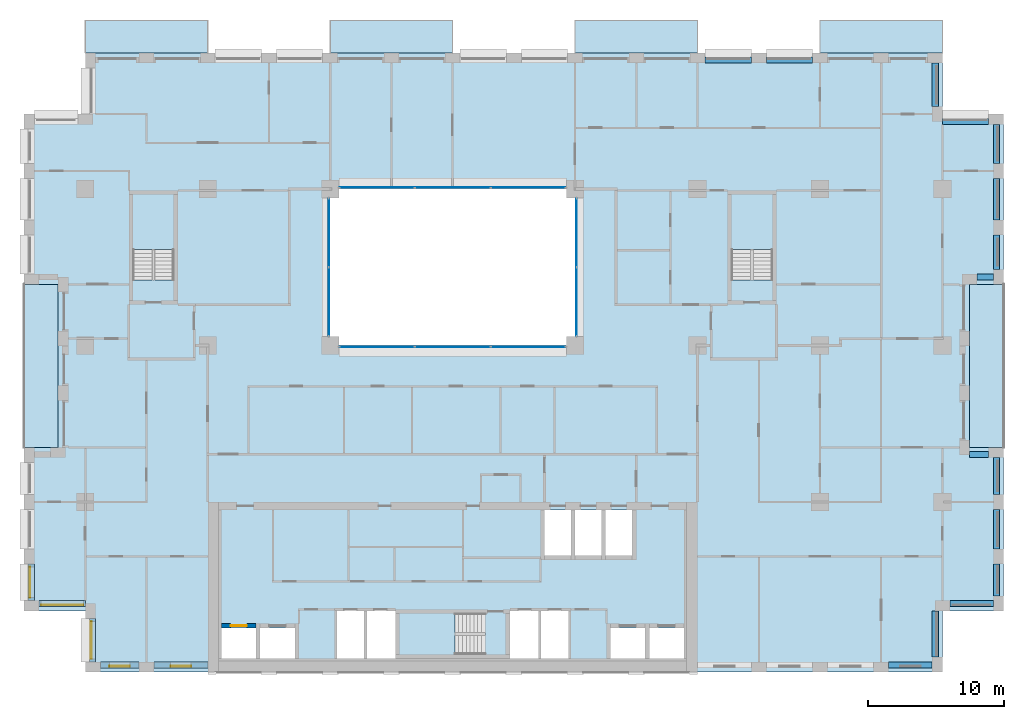
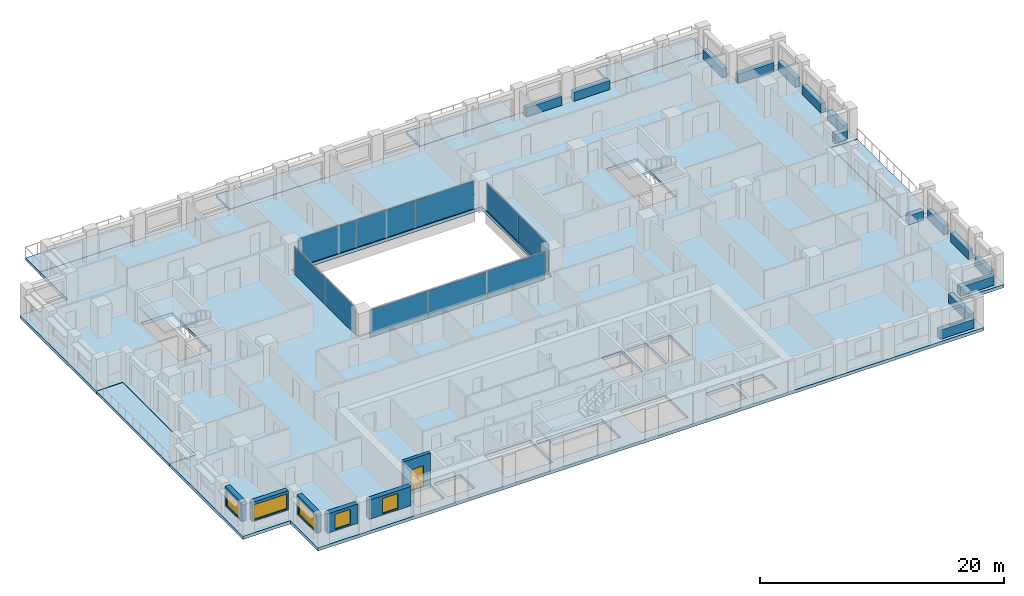
# One storey, part 7 of 16: 15 beams, 10 plates, 10 slabs, 6 walls, 5 windows, 1 door, 6 openings, 7 elements without a shape of their own.
"""IFC4 building model written with IfcOpenShell, lengths in metres."""

from ifc_helpers import new_model, si_unit, direction, frame, frame_2d, origin, origin_2d, place, context, subcontext, project, spatial, polyline, rectangle, outline, extrude, material, layer, layer_set, material_profile, profile_set, type_object, element, fill, aggregate, save


model = new_model("IFC4")

# Units and contexts
model_context = context("Model", 3, precision=1e-05, world=origin(), true_north=direction((0.0, 1.0)))
body_context = subcontext(model_context, "Body", "Model", "MODEL_VIEW")
ifc_project = project(units=[si_unit("LENGTHUNIT", "METRE"), si_unit("AREAUNIT", "SQUARE_METRE"), si_unit("VOLUMEUNIT", "CUBIC_METRE"), si_unit("PLANEANGLEUNIT", "RADIAN"), si_unit("MASSUNIT", "GRAM", prefix="KILO")], contexts=[model_context])

# Site, building, storey
site_placement = place(None, origin())
site = spatial("IfcSite", under=ifc_project, at=site_placement, CompositionType="ELEMENT")
building_placement = place(site_placement, origin())
building = spatial("IfcBuilding", under=site, at=building_placement, Name="Brigalow Station Residences", CompositionType="ELEMENT")
storey_placement = place(building_placement, frame((0.0, 0.0, 118.199951171875)))
storey = spatial("IfcBuildingStorey", under=building, at=storey_placement, Name="L34", CompositionType="ELEMENT", Elevation=118.199951171875)

# Beams
ifc_material_1 = material(Name="Concrete C65", Category="concrete")
ifc_material_profile = material_profile(ifc_material_1, rectangle(XDim=0.449951171875, YDim=0.89990234375, at=origin_2d()), Name="RC450x900")
ifc_profile_set = profile_set([ifc_material_profile], Name="Concrete C65")
beam_type = type_object("IfcBeamType", Name="SPANDREL BEAM 450x900 C65", PredefinedType="SPANDREL", material=ifc_profile_set)
beam_1_placement = place(storey_placement, frame((68.050048828125, 0.52490234375, 0.449951171875), z_axis=(1.0, 0.0, 0.0), x_axis=(0.0, 1.0, 0.0)))
element("IfcBeam", 1, at=beam_1_placement, inside=storey, type_object=beam_type, Name="L34/spandrel/W-L34-7", PredefinedType="SPANDREL", context=body_context, shape_type="SweptSolid", body=[
    extrude(rectangle(XDim=0.449951171875, YDim=0.89990234375, at=origin_2d()), origin(), (0.0, 0.0, 1.0), 3.199951171875),
])
beam_2_placement = place(storey_placement, frame((71.47509765625, 1.10009765625, 0.449951171875), z_axis=(0.0, 1.0, 0.0), x_axis=(-1.0, 0.0, 0.0)))
element("IfcBeam", 2, at=beam_2_placement, inside=storey, type_object=beam_type, Name="L34/spandrel/W-L34-8", PredefinedType="SPANDREL", context=body_context, shape_type="SweptSolid", body=[
    extrude(rectangle(XDim=0.449951171875, YDim=0.89990234375, at=origin_2d()), origin(), (0.0, 0.0, 1.0), 3.39990234375),
])
beam_3_placement = place(storey_placement, frame((72.550048828125, 5.02490234375, 0.449951171875), z_axis=(1.0, 0.0, 0.0), x_axis=(0.0, 1.0, 0.0)))
element("IfcBeam", 3, at=beam_3_placement, inside=storey, type_object=beam_type, Name="L34/spandrel/W-L34-9", PredefinedType="SPANDREL", context=body_context, shape_type="SweptSolid", body=[
    extrude(rectangle(XDim=0.449951171875, YDim=0.89990234375, at=origin_2d()), origin(), (0.0, 0.0, 1.0), 3.199951171875),
])
beam_4_placement = place(storey_placement, frame((75.97509765625, 5.60009765625, 0.449951171875), z_axis=(0.0, 1.0, 0.0), x_axis=(-1.0, 0.0, 0.0)))
element("IfcBeam", 4, at=beam_4_placement, inside=storey, type_object=beam_type, Name="L34/spandrel/W-L34-10", PredefinedType="SPANDREL", context=body_context, shape_type="SweptSolid", body=[
    extrude(rectangle(XDim=0.449951171875, YDim=0.89990234375, at=origin_2d()), origin(), (0.0, 0.0, 1.0), 2.349853515625),
])
beam_5_placement = place(storey_placement, frame((75.97509765625, 9.050048828125, 0.449951171875), z_axis=(0.0, 1.0, 0.0), x_axis=(-1.0, 0.0, 0.0)))
element("IfcBeam", 5, at=beam_5_placement, inside=storey, type_object=beam_type, Name="L34/spandrel/W-L34-11", PredefinedType="SPANDREL", context=body_context, shape_type="SweptSolid", body=[
    extrude(rectangle(XDim=0.449951171875, YDim=0.89990234375, at=origin_2d()), origin(), (0.0, 0.0, 1.0), 2.89990234375),
])
beam_6_placement = place(storey_placement, frame((75.97509765625, 13.050048828125, 0.449951171875), z_axis=(0.0, 1.0, 0.0), x_axis=(-1.0, 0.0, 0.0)))
element("IfcBeam", 6, at=beam_6_placement, inside=storey, type_object=beam_type, Name="L34/spandrel/W-L34-12", PredefinedType="SPANDREL", context=body_context, shape_type="SweptSolid", body=[
    extrude(rectangle(XDim=0.449951171875, YDim=0.89990234375, at=origin_2d()), origin(), (0.0, 0.0, 1.0), 2.699951171875),
])
beam_7_placement = place(storey_placement, frame((75.39990234375, 15.97509765625, 0.449951171875), z_axis=(-1.0, 0.0, 0.0), x_axis=(0.0, -1.0, 0.0)))
element("IfcBeam", 7, at=beam_7_placement, inside=storey, type_object=beam_type, Name="L34/spandrel/W-L34-13", PredefinedType="SPANDREL", context=body_context, shape_type="SweptSolid", body=[
    extrude(rectangle(XDim=0.449951171875, YDim=0.89990234375, at=origin_2d()), origin(), (0.0, 0.0, 1.0), 1.39990234375),
])
beam_8_placement = place(storey_placement, frame((74.550048828125, 29.02490234375, 0.449951171875), z_axis=(1.0, 0.0, 0.0), x_axis=(0.0, 1.0, 0.0)))
element("IfcBeam", 8, at=beam_8_placement, inside=storey, type_object=beam_type, Name="L34/spandrel/W-L34-17", PredefinedType="SPANDREL", context=body_context, shape_type="SweptSolid", body=[
    extrude(rectangle(XDim=0.449951171875, YDim=0.89990234375, at=origin_2d()), origin(), (0.0, 0.0, 1.0), 1.199951171875),
])
beam_9_placement = place(storey_placement, frame((75.97509765625, 29.60009765625, 0.449951171875), z_axis=(0.0, 1.0, 0.0), x_axis=(-1.0, 0.0, 0.0)))
element("IfcBeam", 9, at=beam_9_placement, inside=storey, type_object=beam_type, Name="L34/spandrel/W-L34-18", PredefinedType="SPANDREL", context=body_context, shape_type="SweptSolid", body=[
    extrude(rectangle(XDim=0.449951171875, YDim=0.89990234375, at=origin_2d()), origin(), (0.0, 0.0, 1.0), 2.516845703125),
])
beam_10_placement = place(storey_placement, frame((75.97509765625, 33.217041015625, 0.449951171875), z_axis=(0.0, 1.0, 0.0), x_axis=(-1.0, 0.0, 0.0)))
element("IfcBeam", 10, at=beam_10_placement, inside=storey, type_object=beam_type, Name="L34/spandrel/W-L34-19", PredefinedType="SPANDREL", context=body_context, shape_type="SweptSolid", body=[
    extrude(rectangle(XDim=0.449951171875, YDim=0.89990234375, at=origin_2d()), origin(), (0.0, 0.0, 1.0), 3.06591796875),
])
beam_11_placement = place(storey_placement, frame((75.97509765625, 37.383056640625, 0.449951171875), z_axis=(0.0, 1.0, 0.0), x_axis=(-1.0, 0.0, 0.0)))
element("IfcBeam", 11, at=beam_11_placement, inside=storey, type_object=beam_type, Name="L34/spandrel/W-L34-20", PredefinedType="SPANDREL", context=body_context, shape_type="SweptSolid", body=[
    extrude(rectangle(XDim=0.449951171875, YDim=0.89990234375, at=origin_2d()), origin(), (0.0, 0.0, 1.0), 2.866943359375),
])
beam_12_placement = place(storey_placement, frame((75.39990234375, 40.47509765625, 0.449951171875), z_axis=(-1.0, 0.0, 0.0), x_axis=(0.0, -1.0, 0.0)))
element("IfcBeam", 12, at=beam_12_placement, inside=storey, type_object=beam_type, Name="L34/spandrel/W-L34-21", PredefinedType="SPANDREL", context=body_context, shape_type="SweptSolid", body=[
    extrude(rectangle(XDim=0.449951171875, YDim=0.89990234375, at=origin_2d()), origin(), (0.0, 0.0, 1.0), 3.39990234375),
])
beam_13_placement = place(storey_placement, frame((71.47509765625, 41.550048828125, 0.449951171875), z_axis=(0.0, 1.0, 0.0), x_axis=(-1.0, 0.0, 0.0)))
element("IfcBeam", 13, at=beam_13_placement, inside=storey, type_object=beam_type, Name="L34/spandrel/W-L34-22", PredefinedType="SPANDREL", context=body_context, shape_type="SweptSolid", body=[
    extrude(rectangle(XDim=0.449951171875, YDim=0.89990234375, at=origin_2d()), origin(), (0.0, 0.0, 1.0), 3.199951171875),
])
for number, where, z_axis, x_axis, name in (
    (14, (62.449951171875, 44.97509765625, 0.449951171875), (-1.0, 0.0, 0.0), (0.0, -1.0, 0.0), "L34/spandrel/W-L34-25"),
    (15, (57.949951171875, 44.97509765625, 0.449951171875), (-1.0, 0.0, 0.0), (0.0, -1.0, 0.0), "L34/spandrel/W-L34-26"),
):
    element("IfcBeam", number, at=place(storey_placement, frame(where, z_axis=z_axis, x_axis=x_axis)), inside=storey, type_object=beam_type, Name=name, PredefinedType="SPANDREL", context=body_context, shape_type="SweptSolid", body=[
        extrude(rectangle(XDim=0.449951171875, YDim=0.89990234375, at=origin_2d()), origin(), (0.0, 0.0, 1.0), 3.39990234375),
    ])

# Curtain wall, plates
ifc_material_2 = material(Name="Aluminium", Category="aluminium")
ifc_layer_1 = layer(ifc_material_2, 0.14990234375)
ifc_layer_set_1 = layer_set([ifc_layer_1], Name="ATRIUM FIRE-RATED GLAZING CURTAIN WALL")
curtain_wall_type = type_object("IfcCurtainWallType", Name="ATRIUM FIRE-RATED GLAZING CURTAIN WALL", PredefinedType="NOTDEFINED", material=ifc_layer_set_1)
curtain_wall_1_placement = place(storey_placement, origin())
curtain_wall_1 = element("IfcCurtainWall", 16, at=curtain_wall_1_placement, inside=storey, type_object=curtain_wall_type, Name="L34/cw/atrium-S", PredefinedType="NOTDEFINED")
ifc_material_3 = material(Name="Fire-resisting laminated glazing, FRL -/60/-", Category="glass")
ifc_layer_2 = layer(ifc_material_3, 0.031982421875)
ifc_layer_set_2 = layer_set([ifc_layer_2], Name="ATRIUM FIRE-RATED GLAZING PANEL 32")
plate_type = type_object("IfcPlateType", Name="ATRIUM FIRE-RATED GLAZING PANEL 32", PredefinedType="CURTAIN_PANEL", material=ifc_layer_set_2)
plate_1_placement = place(storey_placement, frame((30.4482421875, 23.89990234375, 0.0), z_axis=(0.0, 0.0, 1.0), x_axis=(1.0, 0.0, 0.0)))
plate_1 = element("IfcPlate", 17, at=plate_1_placement, type_object=plate_type, Name="L34/cw/atrium-S/P00-00", PredefinedType="CURTAIN_PANEL", context=body_context, shape_type="SweptSolid", body=[
    extrude(rectangle(XDim=5.476806640625, YDim=0.031982421875, at=origin_2d()), origin(), (0.0, 0.0, 1.0), 2.77001953125),
])
plate_2_placement = place(storey_placement, frame((36.0, 23.89990234375, 0.0), z_axis=(0.0, 0.0, 1.0), x_axis=(1.0, 0.0, 0.0)))
plate_2 = element("IfcPlate", 18, at=plate_2_placement, type_object=plate_type, Name="L34/cw/atrium-S/P01-00", PredefinedType="CURTAIN_PANEL", context=body_context, shape_type="SweptSolid", body=[
    extrude(rectangle(XDim=5.506591796875, YDim=0.031982421875, at=origin_2d()), origin(), (0.0, 0.0, 1.0), 2.77001953125),
])
plate_3_placement = place(storey_placement, frame((41.5517578125, 23.89990234375, 0.0), z_axis=(0.0, 0.0, 1.0), x_axis=(1.0, 0.0, 0.0)))
plate_3 = element("IfcPlate", 19, at=plate_3_placement, type_object=plate_type, Name="L34/cw/atrium-S/P02-00", PredefinedType="CURTAIN_PANEL", context=body_context, shape_type="SweptSolid", body=[
    extrude(rectangle(XDim=5.476806640625, YDim=0.031982421875, at=origin_2d()), origin(), (0.0, 0.0, 1.0), 2.77001953125),
])
aggregate(curtain_wall_1, [plate_1, plate_2, plate_3])

curtain_wall_2_placement = place(storey_placement, origin())
curtain_wall_2 = element("IfcCurtainWall", 20, at=curtain_wall_2_placement, inside=storey, type_object=curtain_wall_type, Name="L34/cw/atrium-E", PredefinedType="NOTDEFINED")
plate_4_placement = place(storey_placement, frame((45.10009765625, 27.215087890625, 0.0), z_axis=(0.0, 0.0, 1.0), x_axis=(0.0, 1.0, 0.0)))
plate_4 = element("IfcPlate", 21, at=plate_4_placement, type_object=plate_type, Name="L34/cw/atrium-E/P00-00", PredefinedType="CURTAIN_PANEL", context=body_context, shape_type="SweptSolid", body=[
    extrude(rectangle(XDim=5.010009765625, YDim=0.031982421875, at=origin_2d()), origin(), (0.0, 0.0, 1.0), 2.77001953125),
])
plate_5_placement = place(storey_placement, frame((45.10009765625, 32.284912109375, 0.0), z_axis=(0.0, 0.0, 1.0), x_axis=(0.0, 1.0, 0.0)))
plate_5 = element("IfcPlate", 22, at=plate_5_placement, type_object=plate_type, Name="L34/cw/atrium-E/P01-00", PredefinedType="CURTAIN_PANEL", context=body_context, shape_type="SweptSolid", body=[
    extrude(rectangle(XDim=5.010009765625, YDim=0.031982421875, at=origin_2d()), origin(), (0.0, 0.0, 1.0), 2.77001953125),
])
aggregate(curtain_wall_2, [plate_4, plate_5])

curtain_wall_3_placement = place(storey_placement, origin())
curtain_wall_3 = element("IfcCurtainWall", 23, at=curtain_wall_3_placement, inside=storey, type_object=curtain_wall_type, Name="L34/cw/atrium-N", PredefinedType="NOTDEFINED")
plate_6_placement = place(storey_placement, frame((41.5517578125, 35.60009765625, 0.0), z_axis=(0.0, 0.0, 1.0), x_axis=(-1.0, 0.0, 0.0)))
plate_6 = element("IfcPlate", 24, at=plate_6_placement, type_object=plate_type, Name="L34/cw/atrium-N/P00-00", PredefinedType="CURTAIN_PANEL", context=body_context, shape_type="SweptSolid", body=[
    extrude(rectangle(XDim=5.476806640625, YDim=0.031982421875, at=origin_2d()), origin(), (0.0, 0.0, 1.0), 2.77001953125),
])
plate_7_placement = place(storey_placement, frame((36.0, 35.60009765625, 0.0), z_axis=(0.0, 0.0, 1.0), x_axis=(-1.0, 0.0, 0.0)))
plate_7 = element("IfcPlate", 25, at=plate_7_placement, type_object=plate_type, Name="L34/cw/atrium-N/P01-00", PredefinedType="CURTAIN_PANEL", context=body_context, shape_type="SweptSolid", body=[
    extrude(rectangle(XDim=5.506591796875, YDim=0.031982421875, at=origin_2d()), origin(), (0.0, 0.0, 1.0), 2.77001953125),
])
plate_8_placement = place(storey_placement, frame((30.4482421875, 35.60009765625, 0.0), z_axis=(0.0, 0.0, 1.0), x_axis=(-1.0, 0.0, 0.0)))
plate_8 = element("IfcPlate", 26, at=plate_8_placement, type_object=plate_type, Name="L34/cw/atrium-N/P02-00", PredefinedType="CURTAIN_PANEL", context=body_context, shape_type="SweptSolid", body=[
    extrude(rectangle(XDim=5.476806640625, YDim=0.031982421875, at=origin_2d()), origin(), (0.0, 0.0, 1.0), 2.77001953125),
])
aggregate(curtain_wall_3, [plate_6, plate_7, plate_8])

curtain_wall_4_placement = place(storey_placement, origin())
curtain_wall_4 = element("IfcCurtainWall", 27, at=curtain_wall_4_placement, inside=storey, type_object=curtain_wall_type, Name="L34/cw/atrium-W", PredefinedType="NOTDEFINED")
plate_9_placement = place(storey_placement, frame((26.89990234375, 32.284912109375, 0.0), z_axis=(0.0, 0.0, 1.0), x_axis=(0.0, -1.0, 0.0)))
plate_9 = element("IfcPlate", 28, at=plate_9_placement, type_object=plate_type, Name="L34/cw/atrium-W/P00-00", PredefinedType="CURTAIN_PANEL", context=body_context, shape_type="SweptSolid", body=[
    extrude(rectangle(XDim=5.010009765625, YDim=0.031982421875, at=origin_2d()), origin(), (0.0, 0.0, 1.0), 2.77001953125),
])
plate_10_placement = place(storey_placement, frame((26.89990234375, 27.215087890625, 0.0), z_axis=(0.0, 0.0, 1.0), x_axis=(0.0, -1.0, 0.0)))
plate_10 = element("IfcPlate", 29, at=plate_10_placement, type_object=plate_type, Name="L34/cw/atrium-W/P01-00", PredefinedType="CURTAIN_PANEL", context=body_context, shape_type="SweptSolid", body=[
    extrude(rectangle(XDim=5.010009765625, YDim=0.031982421875, at=origin_2d()), origin(), (0.0, 0.0, 1.0), 2.77001953125),
])
aggregate(curtain_wall_4, [plate_9, plate_10])

# Slabs
ifc_material_4 = material(Name="Concrete C50 precast", Category="concrete")
ifc_layer_3 = layer(ifc_material_4, 0.25)
ifc_layer_set_3 = layer_set([ifc_layer_3], Name="BALCONY SLAB 250")
slab_type_1 = type_object("IfcSlabType", Name="BALCONY SLAB 250", PredefinedType="USERDEFINED", material=ifc_layer_set_3)
slab_1_placement = place(storey_placement, frame((0.0, 0.0, -0.2900390625)))
element("IfcSlab", 30, at=slab_1_placement, inside=storey, type_object=slab_type_1, Name="L34/balcony/1", ObjectType="BALCONY", PredefinedType="USERDEFINED", context=body_context, shape_type="SweptSolid", body=[
    extrude(outline(polyline([(74.0, 16.5), (76.5, 16.5), (76.5, 28.5), (74.0, 28.5), (74.0, 16.5)])), origin(), (0.0, 0.0, 1.0), 0.25),
])
slab_2_placement = place(storey_placement, frame((0.0, 0.0, -0.2900390625)))
element("IfcSlab", 31, at=slab_2_placement, inside=storey, type_object=slab_type_1, Name="L34/balcony/2", ObjectType="BALCONY", PredefinedType="USERDEFINED", context=body_context, shape_type="SweptSolid", body=[
    extrude(outline(polyline([(72.0, 45.5), (72.0, 47.89990234375), (63.0, 47.89990234375), (63.0, 45.5), (72.0, 45.5)])), origin(), (0.0, 0.0, 1.0), 0.25),
])
slab_3_placement = place(storey_placement, frame((0.0, 0.0, -0.2900390625)))
element("IfcSlab", 32, at=slab_3_placement, inside=storey, type_object=slab_type_1, Name="L34/balcony/3", ObjectType="BALCONY", PredefinedType="USERDEFINED", context=body_context, shape_type="SweptSolid", body=[
    extrude(outline(polyline([(54.0, 45.5), (54.0, 47.89990234375), (45.0, 47.89990234375), (45.0, 45.5), (54.0, 45.5)])), origin(), (0.0, 0.0, 1.0), 0.25),
])
slab_4_placement = place(storey_placement, frame((0.0, 0.0, -0.2900390625)))
element("IfcSlab", 33, at=slab_4_placement, inside=storey, type_object=slab_type_1, Name="L34/balcony/4", ObjectType="BALCONY", PredefinedType="USERDEFINED", context=body_context, shape_type="SweptSolid", body=[
    extrude(outline(polyline([(36.0, 45.5), (36.0, 47.89990234375), (27.0, 47.89990234375), (27.0, 45.5), (36.0, 45.5)])), origin(), (0.0, 0.0, 1.0), 0.25),
])
slab_5_placement = place(storey_placement, frame((0.0, 0.0, -0.2900390625)))
element("IfcSlab", 34, at=slab_5_placement, inside=storey, type_object=slab_type_1, Name="L34/balcony/5", ObjectType="BALCONY", PredefinedType="USERDEFINED", context=body_context, shape_type="SweptSolid", body=[
    extrude(outline(polyline([(18.0, 45.5), (18.0, 47.89990234375), (9.0, 47.89990234375), (9.0, 45.5), (18.0, 45.5)])), origin(), (0.0, 0.0, 1.0), 0.25),
])
slab_6_placement = place(storey_placement, frame((0.0, 0.0, -0.2900390625)))
element("IfcSlab", 35, at=slab_6_placement, inside=storey, type_object=slab_type_1, Name="L34/balcony/6", ObjectType="BALCONY", PredefinedType="USERDEFINED", context=body_context, shape_type="SweptSolid", body=[
    extrude(outline(polyline([(7.0, 28.5), (4.5, 28.5), (4.5, 16.5), (7.0, 16.5), (7.0, 28.5)])), origin(), (0.0, 0.0, 1.0), 0.25),
])
ifc_material_5 = material(Name="Concrete C50", Category="concrete")
ifc_layer_4 = layer(ifc_material_5, 0.320068359375)
ifc_layer_set_4 = layer_set([ifc_layer_4], Name="POST-TENSIONED FLAT PLATE 320 C50")
slab_type_2 = type_object("IfcSlabType", Name="POST-TENSIONED FLAT PLATE 320 C50", PredefinedType="FLOOR", material=ifc_layer_set_4)
slab_7_placement = place(storey_placement, frame((0.0, 0.0, -0.320068359375)))
element("IfcSlab", 36, at=slab_7_placement, inside=storey, type_object=slab_type_2, Name="FLOOR SLAB L34", PredefinedType="FLOOR", context=body_context, shape_type="SweptSolid", body=[
    extrude(outline(polyline([(9.0, 0.0), (72.0, 0.0), (72.0, 4.5), (76.5, 4.5), (76.5, 16.5), (74.0, 16.5), (74.0, 28.5), (76.5, 28.5), (76.5, 41.0), (72.0, 41.0), (72.0, 45.5), (9.0, 45.5), (9.0, 41.0), (4.5, 41.0), (4.5, 28.5), (7.0, 28.5), (7.0, 16.5), (4.5, 16.5), (4.5, 4.5), (9.0, 4.5), (9.0, 0.0)]), holes=[polyline([(12.5048828125, 35.094970703125), (15.4951171875, 35.094970703125), (15.4951171875, 28.804931640625), (12.5048828125, 28.804931640625), (12.5048828125, 35.094970703125)]), polyline([(19.0, 1.0), (19.0, 3.25), (21.550048828125, 3.25), (21.550048828125, 1.0), (19.0, 1.0)]), polyline([(21.85009765625, 3.25), (24.39990234375, 3.25), (24.39990234375, 1.0), (21.85009765625, 1.0), (21.85009765625, 3.25)]), polyline([(27.0, 35.5), (45.0, 35.5), (45.0, 24.0), (27.0, 24.0), (27.0, 35.5)]), polyline([(29.60009765625, 4.60009765625), (31.800048828125, 4.60009765625), (31.800048828125, 1.0), (29.60009765625, 1.0), (27.39990234375, 1.0), (27.39990234375, 4.60009765625), (29.60009765625, 4.60009765625)]), polyline([(32.10498046875, 4.294921875), (38.39501953125, 4.294921875), (38.39501953125, 1.304931640625), (32.10498046875, 1.304931640625), (32.10498046875, 4.294921875)]), polyline([(40.199951171875, 4.60009765625), (42.39990234375, 4.60009765625), (44.60009765625, 4.60009765625), (44.60009765625, 1.0), (42.39990234375, 1.0), (40.199951171875, 1.0), (40.199951171875, 4.60009765625)]), polyline([(42.75, 11.89990234375), (44.699951171875, 11.89990234375), (44.699951171875, 8.550048828125), (42.75, 8.550048828125), (42.75, 11.89990234375)]), polyline([(45.0, 11.89990234375), (46.949951171875, 11.89990234375), (46.949951171875, 8.550048828125), (45.0, 8.550048828125), (45.0, 11.89990234375)]), polyline([(47.25, 11.89990234375), (49.199951171875, 11.89990234375), (49.199951171875, 8.550048828125), (47.25, 8.550048828125), (47.25, 11.89990234375)]), polyline([(47.60009765625, 3.25), (50.14990234375, 3.25), (50.14990234375, 1.0), (47.60009765625, 1.0), (47.60009765625, 3.25)]), polyline([(50.449951171875, 3.25), (53.0, 3.25), (53.0, 1.0), (50.449951171875, 1.0), (50.449951171875, 3.25)]), polyline([(56.5048828125, 35.094970703125), (59.4951171875, 35.094970703125), (59.4951171875, 28.804931640625), (56.5048828125, 28.804931640625), (56.5048828125, 35.094970703125)])]), origin(), (0.0, 0.0, 1.0), 0.320068359375),
])

# Stair, slab
ifc_material_6 = material(Name="Concrete C50", Category="concrete")
stair_type = type_object("IfcStairType", Name="EXIT STAIR 1400 2 FLIGHT", PredefinedType="HALF_TURN_STAIR", material=ifc_material_6)
stair_1_placement = place(storey_placement, origin())
stair_1 = element("IfcStair", 37, at=stair_1_placement, inside=storey, type_object=stair_type, Name="EXIT STAIR S2 L34", PredefinedType="HALF_TURN_STAIR")
ifc_material_7 = material(Name="Concrete C50", Category="concrete")
ifc_layer_5 = layer(ifc_material_7, 0.199951171875)
ifc_layer_set_5 = layer_set([ifc_layer_5], Name="STAIR LANDING 200")
slab_type_3 = type_object("IfcSlabType", Name="STAIR LANDING 200", PredefinedType="LANDING", material=ifc_layer_set_5)
slab_8_placement = place(storey_placement, frame((0.0, 0.0, 1.375)))
slab_8 = element("IfcSlab", 38, at=slab_8_placement, type_object=slab_type_3, Name="ST-2 landing 1", PredefinedType="LANDING", context=body_context, shape_type="SweptSolid", body=[
    extrude(outline(polyline([(32.0, 1.199951171875), (36.159912109375, 1.199951171875), (36.159912109375, 4.39990234375), (32.0, 4.39990234375), (32.0, 1.199951171875)])), origin(), (0.0, 0.0, 1.0), 0.199951171875),
])
aggregate(stair_1, [slab_8])

stair_2_placement = place(storey_placement, origin())
stair_2 = element("IfcStair", 39, at=stair_2_placement, inside=storey, type_object=stair_type, Name="EXIT STAIR S1 L34", PredefinedType="HALF_TURN_STAIR")
slab_9_placement = place(storey_placement, frame((0.0, 0.0, 1.375)))
slab_9 = element("IfcSlab", 40, at=slab_9_placement, type_object=slab_type_3, Name="ST-1 landing 1", PredefinedType="LANDING", context=body_context, shape_type="SweptSolid", body=[
    extrude(outline(polyline([(12.39990234375, 31.0400390625), (15.60009765625, 31.0400390625), (15.60009765625, 35.199951171875), (12.39990234375, 35.199951171875), (12.39990234375, 31.0400390625)])), origin(), (0.0, 0.0, 1.0), 0.199951171875),
])
aggregate(stair_2, [slab_9])

stair_3_placement = place(storey_placement, origin())
stair_3 = element("IfcStair", 41, at=stair_3_placement, inside=storey, type_object=stair_type, Name="EXIT STAIR S3 L34", PredefinedType="HALF_TURN_STAIR")
slab_10_placement = place(storey_placement, frame((0.0, 0.0, 1.375)))
slab_10 = element("IfcSlab", 42, at=slab_10_placement, type_object=slab_type_3, Name="ST-3 landing 1", PredefinedType="LANDING", context=body_context, shape_type="SweptSolid", body=[
    extrude(outline(polyline([(56.39990234375, 31.0400390625), (59.60009765625, 31.0400390625), (59.60009765625, 35.199951171875), (56.39990234375, 35.199951171875), (56.39990234375, 31.0400390625)])), origin(), (0.0, 0.0, 1.0), 0.199951171875),
])
aggregate(stair_3, [slab_10])

# Wall, opening, window
ifc_material_8 = material(Name="Clay brick masonry", Category="masonry")
ifc_layer_6 = layer(ifc_material_8, 0.449951171875)
ifc_layer_set_6 = layer_set([ifc_layer_6], Name="BRICK INFILL WALL 450")
wall_type_1 = type_object("IfcWallType", Name="BRICK INFILL WALL 450", PredefinedType="SOLIDWALL", material=ifc_layer_set_6)
wall_1_placement = place(storey_placement, frame((10.10009765625, 0.52490234375, 0.900146484375), z_axis=(0.0, 0.0, 1.0), x_axis=(1.0, 0.0, 0.0)))
wall_1 = element("IfcWall", 43, at=wall_1_placement, inside=storey, type_object=wall_type_1, Name="L34/ewall/W-L34-1", PredefinedType="SOLIDWALL", context=body_context, shape_type="SweptSolid", body=[
    extrude(rectangle(XDim=2.849853515625, YDim=0.449951171875, at=frame_2d((1.4248046875, 0.0))), origin(), (0.0, 0.0, 1.0), 1.929931640625),
])
opening_1_placement = place(wall_1_placement, frame((0.675048828125, 0.0, 0.14990234375)))
opening_1 = element("IfcOpeningElement", 44, at=opening_1_placement, cuts=wall_1, Name="Opening WT-1", PredefinedType="OPENING", context=body_context, shape_type="SweptSolid", body=[
    extrude(rectangle(XDim=1.5, YDim=1.5, at=frame_2d((0.75, 0.75))), frame((0.0, 0.23486328125, 0.0), z_axis=(0.0, -1.0, 0.0), x_axis=(1.0, 0.0, 0.0)), (0.0, 0.0, 1.0), 0.469970703125),
])
ifc_material_9 = material(Name="Anodised aluminium frame with double glazing", Category="aluminium")
window_type_1 = type_object("IfcWindowType", Name="WINDOW 1500x1500", PartitioningType="SINGLE_PANEL", PredefinedType="WINDOW", material=ifc_material_9)
window_1_placement = place(opening_1_placement, origin())
window_1 = element("IfcWindow", 45, at=window_1_placement, inside=storey, type_object=window_type_1, Name="L34/window/W-L34-1", OverallHeight=1.5, OverallWidth=1.5, PartitioningType="SINGLE_PANEL", PredefinedType="WINDOW", context=body_context, shape_type="SweptSolid", body=[
    extrude(rectangle(XDim=1.5, YDim=1.5, at=frame_2d((0.75, 0.75))), frame((0.0, -0.06494140625, 0.0), z_axis=(0.0, -1.0, 0.0), x_axis=(1.0, 0.0, 0.0)), (0.0, 0.0, 1.0), 0.06005859375),
])
fill(opening_1, window_1)

wall_2_placement = place(storey_placement, frame((14.050048828125, 0.52490234375, 0.900146484375), z_axis=(0.0, 0.0, 1.0), x_axis=(1.0, 0.0, 0.0)))
wall_2 = element("IfcWall", 46, at=wall_2_placement, inside=storey, type_object=wall_type_1, Name="L34/ewall/W-L34-2", PredefinedType="SOLIDWALL", context=body_context, shape_type="SweptSolid", body=[
    extrude(rectangle(XDim=3.949951171875, YDim=0.449951171875, at=frame_2d((1.97509765625, 0.0))), origin(), (0.0, 0.0, 1.0), 1.929931640625),
])
opening_2_placement = place(wall_2_placement, frame((1.22509765625, 0.0, 0.14990234375)))
opening_2 = element("IfcOpeningElement", 47, at=opening_2_placement, cuts=wall_2, Name="Opening WT-1", PredefinedType="OPENING", context=body_context, shape_type="SweptSolid", body=[
    extrude(rectangle(XDim=1.5, YDim=1.5, at=frame_2d((0.75, 0.75))), frame((0.0, 0.23486328125, 0.0), z_axis=(0.0, -1.0, 0.0), x_axis=(1.0, 0.0, 0.0)), (0.0, 0.0, 1.0), 0.469970703125),
])
window_2_placement = place(opening_2_placement, origin())
window_2 = element("IfcWindow", 48, at=window_2_placement, inside=storey, type_object=window_type_1, Name="L34/window/W-L34-2", OverallHeight=1.5, OverallWidth=1.5, PartitioningType="SINGLE_PANEL", PredefinedType="WINDOW", context=body_context, shape_type="SweptSolid", body=[
    extrude(rectangle(XDim=1.5, YDim=1.5, at=frame_2d((0.75, 0.75))), frame((0.0, -0.06494140625, 0.0), z_axis=(0.0, -1.0, 0.0), x_axis=(1.0, 0.0, 0.0)), (0.0, 0.0, 1.0), 0.06005859375),
])
fill(opening_2, window_2)

wall_3_placement = place(storey_placement, frame((5.02490234375, 7.949951171875, 0.900146484375), z_axis=(0.0, 0.0, 1.0), x_axis=(0.0, -1.0, 0.0)))
wall_3 = element("IfcWall", 49, at=wall_3_placement, inside=storey, type_object=wall_type_1, Name="L34/ewall/W-L34-49", PredefinedType="SOLIDWALL", context=body_context, shape_type="SweptSolid", body=[
    extrude(rectangle(XDim=2.699951171875, YDim=0.449951171875, at=frame_2d((1.35009765625, 0.0))), origin(), (0.0, 0.0, 1.0), 1.929931640625),
])
opening_3_placement = place(wall_3_placement, frame((0.22509765625, 0.0, 0.14990234375)))
opening_3 = element("IfcOpeningElement", 50, at=opening_3_placement, cuts=wall_3, Name="Opening WT-6", PredefinedType="OPENING", context=body_context, shape_type="SweptSolid", body=[
    extrude(rectangle(XDim=2.25, YDim=1.5, at=frame_2d((1.125, 0.75))), frame((0.0, 0.23486328125, 0.0), z_axis=(0.0, -1.0, 0.0), x_axis=(1.0, 0.0, 0.0)), (0.0, 0.0, 1.0), 0.469970703125),
])
ifc_material_10 = material(Name="Anodised aluminium frame with double glazing", Category="aluminium")
window_type_2 = type_object("IfcWindowType", Name="WINDOW 2250x1500", PartitioningType="SINGLE_PANEL", PredefinedType="WINDOW", material=ifc_material_10)
window_3_placement = place(opening_3_placement, origin())
window_3 = element("IfcWindow", 51, at=window_3_placement, inside=storey, type_object=window_type_2, Name="L34/window/W-L34-49", OverallHeight=1.5, OverallWidth=2.25, PartitioningType="SINGLE_PANEL", PredefinedType="WINDOW", context=body_context, shape_type="SweptSolid", body=[
    extrude(rectangle(XDim=2.25, YDim=1.5, at=frame_2d((1.125, 0.75))), frame((0.0, -0.06494140625, 0.0), z_axis=(0.0, -1.0, 0.0), x_axis=(1.0, 0.0, 0.0)), (0.0, 0.0, 1.0), 0.06005859375),
])
fill(opening_3, window_3)

wall_4_placement = place(storey_placement, frame((5.60009765625, 5.02490234375, 0.900146484375), z_axis=(0.0, 0.0, 1.0), x_axis=(1.0, 0.0, 0.0)))
wall_4 = element("IfcWall", 52, at=wall_4_placement, inside=storey, type_object=wall_type_1, Name="L34/ewall/W-L34-50", PredefinedType="SOLIDWALL", context=body_context, shape_type="SweptSolid", body=[
    extrude(rectangle(XDim=3.39990234375, YDim=0.449951171875, at=frame_2d((1.699951171875, 0.0))), origin(), (0.0, 0.0, 1.0), 1.929931640625),
])
opening_4_placement = place(wall_4_placement, frame((0.14990234375, 0.0, 0.14990234375)))
opening_4 = element("IfcOpeningElement", 53, at=opening_4_placement, cuts=wall_4, Name="Opening WT-8", PredefinedType="OPENING", context=body_context, shape_type="SweptSolid", body=[
    extrude(rectangle(XDim=3.10009765625, YDim=1.5, at=frame_2d((1.550048828125, 0.75))), frame((0.0, 0.23486328125, 0.0), z_axis=(0.0, -1.0, 0.0), x_axis=(1.0, 0.0, 0.0)), (0.0, 0.0, 1.0), 0.469970703125),
])
ifc_material_11 = material(Name="Anodised aluminium frame with double glazing", Category="aluminium")
window_type_3 = type_object("IfcWindowType", Name="WINDOW 3100x1500", PartitioningType="SINGLE_PANEL", PredefinedType="WINDOW", material=ifc_material_11)
window_4_placement = place(opening_4_placement, origin())
window_4 = element("IfcWindow", 54, at=window_4_placement, inside=storey, type_object=window_type_3, Name="L34/window/W-L34-50", OverallHeight=1.5, OverallWidth=3.10009765625, PartitioningType="SINGLE_PANEL", PredefinedType="WINDOW", context=body_context, shape_type="SweptSolid", body=[
    extrude(rectangle(XDim=3.10009765625, YDim=1.5, at=frame_2d((1.550048828125, 0.75))), frame((0.0, -0.06494140625, 0.0), z_axis=(0.0, -1.0, 0.0), x_axis=(1.0, 0.0, 0.0)), (0.0, 0.0, 1.0), 0.06005859375),
])
fill(opening_4, window_4)

wall_5_placement = place(storey_placement, frame((9.52490234375, 3.949951171875, 0.900146484375), z_axis=(0.0, 0.0, 1.0), x_axis=(0.0, -1.0, 0.0)))
wall_5 = element("IfcWall", 55, at=wall_5_placement, inside=storey, type_object=wall_type_1, Name="L34/ewall/W-L34-51", PredefinedType="SOLIDWALL", context=body_context, shape_type="SweptSolid", body=[
    extrude(rectangle(XDim=3.199951171875, YDim=0.449951171875, at=frame_2d((1.60009765625, 0.0))), origin(), (0.0, 0.0, 1.0), 1.929931640625),
])
opening_5_placement = place(wall_5_placement, frame((0.22509765625, 0.0, 0.14990234375)))
opening_5 = element("IfcOpeningElement", 56, at=opening_5_placement, cuts=wall_5, Name="Opening WT-3", PredefinedType="OPENING", context=body_context, shape_type="SweptSolid", body=[
    extrude(rectangle(XDim=2.75, YDim=1.5, at=frame_2d((1.375, 0.75))), frame((0.0, 0.23486328125, 0.0), z_axis=(0.0, -1.0, 0.0), x_axis=(1.0, 0.0, 0.0)), (0.0, 0.0, 1.0), 0.469970703125),
])
ifc_material_12 = material(Name="Anodised aluminium frame with double glazing", Category="aluminium")
window_type_4 = type_object("IfcWindowType", Name="WINDOW 2750x1500", PartitioningType="SINGLE_PANEL", PredefinedType="WINDOW", material=ifc_material_12)
window_5_placement = place(opening_5_placement, origin())
window_5 = element("IfcWindow", 57, at=window_5_placement, inside=storey, type_object=window_type_4, Name="L34/window/W-L34-51", OverallHeight=1.5, OverallWidth=2.75, PartitioningType="SINGLE_PANEL", PredefinedType="WINDOW", context=body_context, shape_type="SweptSolid", body=[
    extrude(rectangle(XDim=2.75, YDim=1.5, at=frame_2d((1.375, 0.75))), frame((0.0, -0.06494140625, 0.0), z_axis=(0.0, -1.0, 0.0), x_axis=(1.0, 0.0, 0.0)), (0.0, 0.0, 1.0), 0.06005859375),
])
fill(opening_5, window_5)

# Wall, opening, door
ifc_material_13 = material(Name="Concrete C65", Category="concrete")
ifc_layer_7 = layer(ifc_material_13, 0.300048828125)
ifc_layer_set_7 = layer_set([ifc_layer_7], Name="CORE SHEAR WALL 300 C65")
wall_type_2 = type_object("IfcWallType", Name="CORE SHEAR WALL 300 C65", PredefinedType="SHEAR", material=ifc_layer_set_7)
wall_6_placement = place(storey_placement, frame((19.0, 3.39990234375, 0.0), z_axis=(0.0, 0.0, 1.0), x_axis=(1.0, 0.0, 0.0)))
wall_6 = element("IfcWall", 58, at=wall_6_placement, inside=storey, type_object=wall_type_2, Name="CORE WALL SH-C1-N L34", PredefinedType="SHEAR", context=body_context, shape_type="SweptSolid", body=[
    extrude(rectangle(XDim=2.550048828125, YDim=0.300048828125, at=frame_2d((1.27490234375, 0.0))), origin(), (0.0, 0.0, 1.0), 3.150146484375),
])
opening_6_placement = place(wall_6_placement, frame((0.675048828125, 0.0, 0.0)))
opening_6 = element("IfcOpeningElement", 59, at=opening_6_placement, cuts=wall_6, Name="Opening LD-LB1", PredefinedType="OPENING", context=body_context, shape_type="SweptSolid", body=[
    extrude(rectangle(XDim=1.199951171875, YDim=2.10009765625, at=frame_2d((0.60009765625, 1.050048828125))), frame((0.0, 0.16015625, 0.0), z_axis=(0.0, -1.0, 0.0), x_axis=(1.0, 0.0, 0.0)), (0.0, 0.0, 1.0), 0.320068359375),
])
ifc_material_14 = material(Name="Stainless steel sliding door leaves", Category="steel")
door_type = type_object("IfcDoorType", Name="LIFT LANDING DOOR 1200 x 2100", OperationType="DOUBLE_DOOR_SLIDING", PredefinedType="DOOR", material=ifc_material_14)
door_placement = place(opening_6_placement, origin())
door = element("IfcDoor", 60, at=door_placement, inside=storey, type_object=door_type, Name="LANDING DOOR LB1", OperationType="DOUBLE_DOOR_SLIDING", OverallHeight=2.10009765625, OverallWidth=1.199951171875, PredefinedType="DOOR", context=body_context, shape_type="SweptSolid", body=[
    extrude(rectangle(XDim=1.199951171875, YDim=2.10009765625, at=frame_2d((0.60009765625, 1.050048828125))), frame((0.0, 0.02490234375, 0.0), z_axis=(0.0, -1.0, 0.0), x_axis=(1.0, 0.0, 0.0)), (0.0, 0.0, 1.0), 0.050048828125),
])
fill(opening_6, door)

save(model, "model.ifc")
